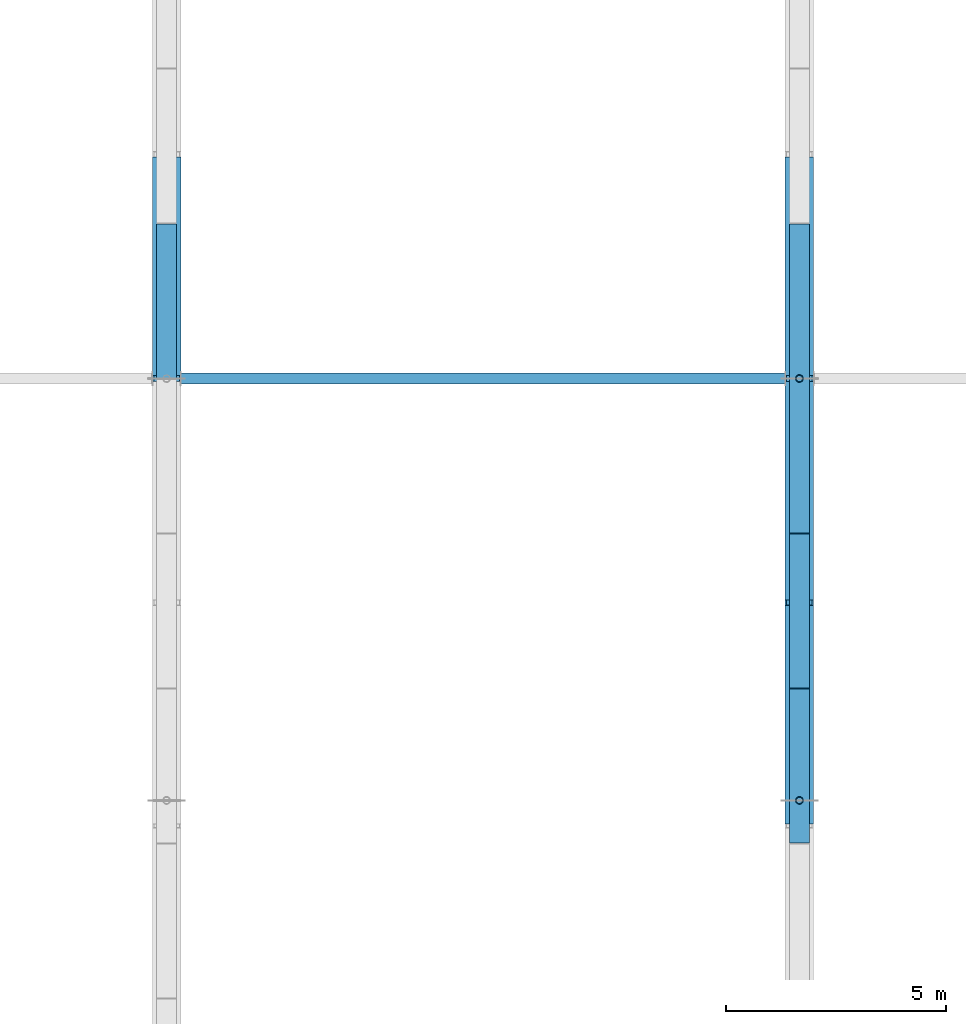
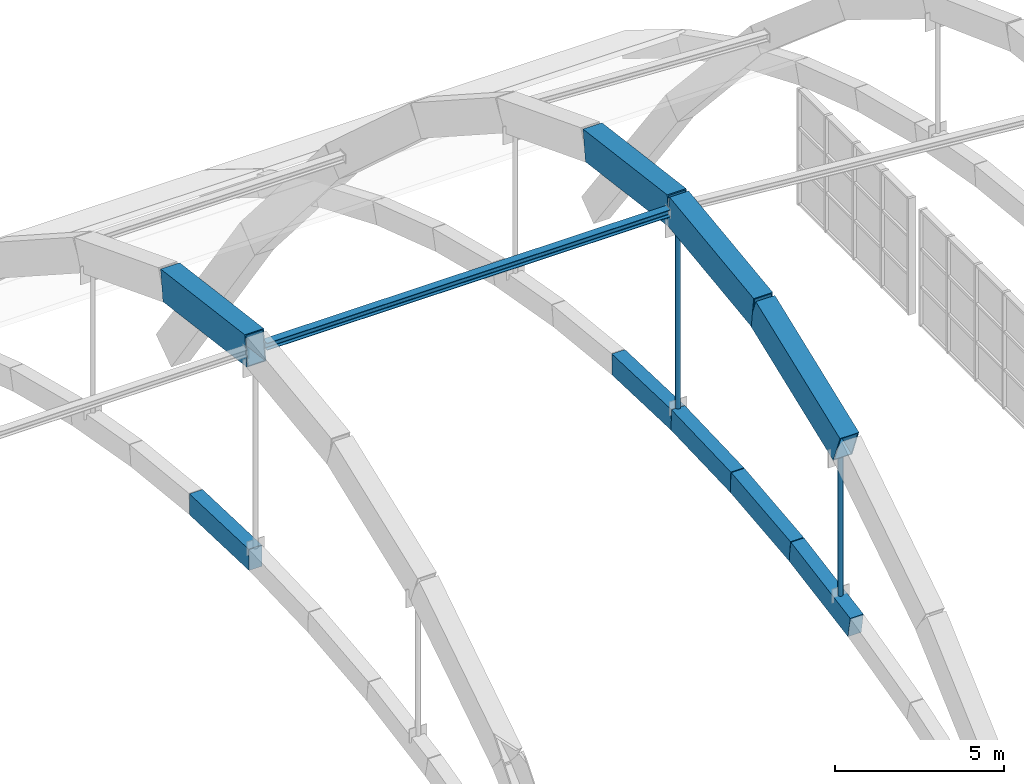
# One storey, part 22 of 64: 7 members, 5 beams.
"""IFC4 building model written with IfcOpenShell, lengths in metres."""

from ifc_helpers import new_model, si_unit, direction, frame, origin, origin_2d, place, context, subcontext, project, spatial, rectangle, hollow_rectangle, hollow_circle, i_section, extrude, material, material_profile, profile_set, type_object, element, save


model = new_model("IFC4")

# Units and contexts
model_context = context("Model", 3, precision=1e-05, world=origin(), true_north=direction((0.0, 1.0)))
body_context = subcontext(model_context, "Body", "Model", "MODEL_VIEW")
ifc_project = project(units=[si_unit("LENGTHUNIT", "METRE"), si_unit("AREAUNIT", "SQUARE_METRE"), si_unit("VOLUMEUNIT", "CUBIC_METRE"), si_unit("PLANEANGLEUNIT", "RADIAN"), si_unit("MASSUNIT", "GRAM", prefix="KILO")], contexts=[model_context])

# Site, building, storey
site_placement = place(None, origin())
site = spatial("IfcSite", under=ifc_project, at=site_placement, CompositionType="ELEMENT")
building_placement = place(site_placement, origin())
building = spatial("IfcBuilding", under=site, at=building_placement, Name="Leyfeld Transit Interchange", CompositionType="ELEMENT")
storey_placement = place(building_placement, frame((0.0, 0.0, 9.60009765625)))
storey = spatial("IfcBuildingStorey", under=building, at=storey_placement, Name="L02", CompositionType="ELEMENT", Elevation=9.60009765625)

# Beams
ifc_material_1 = material(Name="Concrete C40/50", Category="concrete")
ifc_material_profile_1 = material_profile(ifc_material_1, rectangle(XDim=0.449951171875, YDim=0.75, at=origin_2d()), Name="RC 750x450 RIB")
ifc_profile_set_1 = profile_set([ifc_material_profile_1], Name="Concrete C40/50")
beam_type = type_object("IfcBeamType", Name="BM-RIB-750x450", PredefinedType="USERDEFINED", material=ifc_profile_set_1)
beam_1_placement = place(storey_placement, frame((72.0, 32.39990234375, 7.440185546875), z_axis=(0.0, 0.999387477159, -0.034995292518), x_axis=(-1.0, 0.0, 0.0)))
element("IfcBeam", 1, at=beam_1_placement, inside=storey, type_object=beam_type, Name="Concourse Vault Rib A6 Seg 9", ObjectType="ARCH_RIB", PredefinedType="USERDEFINED", context=body_context, shape_type="SweptSolid", body=[
    extrude(rectangle(XDim=0.449951171875, YDim=0.75, at=origin_2d()), origin(), (0.0, 0.0, 1.0), 3.502197265625),
])
beam_2_placement = place(storey_placement, frame((86.39990234375, 21.89990234375, 6.3251953125), z_axis=(0.0, 0.984546197367, 0.175125056033), x_axis=(-1.0, 0.0, 0.0)))
element("IfcBeam", 2, at=beam_2_placement, inside=storey, type_object=beam_type, Name="Concourse Vault Rib A7 Seg 6", ObjectType="ARCH_RIB", PredefinedType="USERDEFINED", context=body_context, shape_type="SweptSolid", body=[
    extrude(rectangle(XDim=0.449951171875, YDim=0.75, at=origin_2d()), origin(), (0.0, 0.0, 1.0), 3.554931640625),
])
beam_3_placement = place(storey_placement, frame((86.39990234375, 25.39990234375, 6.94775390625), z_axis=(0.0, 0.99446241795, 0.105092812723), x_axis=(-1.0, 0.0, 0.0)))
element("IfcBeam", 3, at=beam_3_placement, inside=storey, type_object=beam_type, Name="Concourse Vault Rib A7 Seg 7", ObjectType="ARCH_RIB", PredefinedType="USERDEFINED", context=body_context, shape_type="SweptSolid", body=[
    extrude(rectangle(XDim=0.449951171875, YDim=0.75, at=origin_2d()), origin(), (0.0, 0.0, 1.0), 3.51953125),
])
for number, where, z_axis, x_axis, name in (
    (4, (86.39990234375, 28.89990234375, 7.317626953125), (0.0, 0.999387477159, 0.034995292518), (-1.0, 0.0, 0.0), "Concourse Vault Rib A7 Seg 8"),
    (5, (86.39990234375, 32.39990234375, 7.440185546875), (0.0, 0.999387477159, -0.034995292518), (-1.0, 0.0, 0.0), "Concourse Vault Rib A7 Seg 9"),
):
    element("IfcBeam", number, at=place(storey_placement, frame(where, z_axis=z_axis, x_axis=x_axis)), inside=storey, type_object=beam_type, Name=name, ObjectType="ARCH_RIB", PredefinedType="USERDEFINED", context=body_context, shape_type="SweptSolid", body=[
        extrude(rectangle(XDim=0.449951171875, YDim=0.75, at=origin_2d()), origin(), (0.0, 0.0, 1.0), 3.502197265625),
    ])

# Members
ifc_material_2 = material(Name="Steel S355J2 - Ochre Arch", Category="steel")
ifc_material_profile_2 = material_profile(ifc_material_2, hollow_rectangle(XDim=0.64990234375, YDim=1.10009765625, WallThickness=0.035888671875, at=origin_2d()), Name="RHS 1100x650x36")
ifc_profile_set_2 = profile_set([ifc_material_profile_2], Name="Steel S355J2 - Ochre Arch")
member_type_1 = type_object("IfcMemberType", Name="MEM-ARCH-1100", PredefinedType="USERDEFINED", material=ifc_profile_set_2)
member_1_placement = place(storey_placement, frame((72.0, 32.39990234375, 15.0), z_axis=(0.0, 0.991753299157, -0.128161591795), x_axis=(-1.0, 0.0, 0.0)))
element("IfcMember", 6, at=member_1_placement, inside=storey, type_object=member_type_1, Name="Primary Steel Arch AR-05 Seg 7", ObjectType="ARCH_SEGMENT", PredefinedType="USERDEFINED", context=body_context, shape_type="SweptSolid", body=[
    extrude(hollow_rectangle(XDim=0.64990234375, YDim=1.10009765625, WallThickness=0.035888671875, at=origin_2d()), origin(), (0.0, 0.0, 1.0), 5.008056640625),
])
member_2_placement = place(storey_placement, frame((86.39990234375, 22.466796875, 12.433349609375), z_axis=(0.0, 0.932424670612, 0.361364405599), x_axis=(-1.0, 0.0, 0.0)))
element("IfcMember", 7, at=member_2_placement, inside=storey, type_object=member_type_1, Name="Primary Steel Arch AR-06 Seg 5", ObjectType="ARCH_SEGMENT", PredefinedType="USERDEFINED", context=body_context, shape_type="SweptSolid", body=[
    extrude(hollow_rectangle(XDim=0.64990234375, YDim=1.10009765625, WallThickness=0.035888671875, at=origin_2d()), origin(), (0.0, 0.0, 1.0), 5.326416015625),
])
member_3_placement = place(storey_placement, frame((86.39990234375, 27.433349609375, 14.358154296875), z_axis=(0.0, 0.991752498374, 0.128167788341), x_axis=(-1.0, 0.0, 0.0)))
element("IfcMember", 8, at=member_3_placement, inside=storey, type_object=member_type_1, Name="Primary Steel Arch AR-06 Seg 6", ObjectType="ARCH_SEGMENT", PredefinedType="USERDEFINED", context=body_context, shape_type="SweptSolid", body=[
    extrude(hollow_rectangle(XDim=0.64990234375, YDim=1.10009765625, WallThickness=0.035888671875, at=origin_2d()), origin(), (0.0, 0.0, 1.0), 5.0078125),
])
member_4_placement = place(storey_placement, frame((86.39990234375, 32.39990234375, 15.0), z_axis=(0.0, 0.991753299157, -0.128161591795), x_axis=(-1.0, 0.0, 0.0)))
element("IfcMember", 9, at=member_4_placement, inside=storey, type_object=member_type_1, Name="Primary Steel Arch AR-06 Seg 7", ObjectType="ARCH_SEGMENT", PredefinedType="USERDEFINED", context=body_context, shape_type="SweptSolid", body=[
    extrude(hollow_rectangle(XDim=0.64990234375, YDim=1.10009765625, WallThickness=0.035888671875, at=origin_2d()), origin(), (0.0, 0.0, 1.0), 5.008056640625),
])
ifc_material_3 = material(Name="Steel S355J2", Category="steel")
ifc_material_profile_3 = material_profile(ifc_material_3, i_section(OverallWidth=0.260009765625, OverallDepth=0.260009765625, WebThickness=0.010009765625, FlangeThickness=0.017578125, FilletRadius=0.02392578125, at=origin_2d()), Name="HEB 260")
ifc_profile_set_3 = profile_set([ifc_material_profile_3], Name="Steel S355J2")
member_type_2 = type_object("IfcMemberType", Name="MEM-CHD-HEB260", PredefinedType="CHORD", material=ifc_profile_set_3)
member_5_placement = place(storey_placement, frame((72.324951171875, 32.39990234375, 15.0), z_axis=(1.0, 0.0, 0.0), x_axis=(0.0, 1.0, 0.0)))
element("IfcMember", 10, at=member_5_placement, inside=storey, type_object=member_type_2, Name="Arch Longitudinal Tie Chord B6 T2", PredefinedType="CHORD", context=body_context, shape_type="SweptSolid", body=[
    extrude(i_section(OverallWidth=0.260009765625, OverallDepth=0.260009765625, WebThickness=0.010009765625, FlangeThickness=0.017578125, FilletRadius=0.02392578125, at=origin_2d()), origin(), (0.0, 0.0, 1.0), 13.75),
])
ifc_material_profile_4 = material_profile(ifc_material_3, hollow_circle(Radius=0.084228515625, WallThickness=0.008056640625, at=origin_2d()), Name="CHS 168.3x8")
ifc_profile_set_4 = profile_set([ifc_material_profile_4], Name="Steel S355J2")
member_type_3 = type_object("IfcMemberType", Name="MEM-HGR-168", PredefinedType="USERDEFINED", material=ifc_profile_set_4)
member_6_placement = place(storey_placement, frame((86.39990234375, 22.800048828125, 6.885009765625), z_axis=(0.0, 0.0, 1.0), x_axis=(1.0, 0.0, 0.0)))
element("IfcMember", 11, at=member_6_placement, inside=storey, type_object=member_type_3, Name="Arch Tension Hanger AR-06 H3", ObjectType="SUSPENDER", PredefinedType="USERDEFINED", context=body_context, shape_type="SweptSolid", body=[
    extrude(hollow_circle(Radius=0.084228515625, WallThickness=0.008056640625, at=origin_2d()), origin(), (0.0, 0.0, 1.0), 5.087646484375),
])
member_7_placement = place(storey_placement, frame((86.39990234375, 32.39990234375, 7.815185546875), z_axis=(0.0, 0.0, 1.0), x_axis=(1.0, 0.0, 0.0)))
element("IfcMember", 12, at=member_7_placement, inside=storey, type_object=member_type_3, Name="Arch Tension Hanger AR-06 H4", ObjectType="SUSPENDER", PredefinedType="USERDEFINED", context=body_context, shape_type="SweptSolid", body=[
    extrude(hollow_circle(Radius=0.084228515625, WallThickness=0.008056640625, at=origin_2d()), origin(), (0.0, 0.0, 1.0), 6.630126953125),
])

save(model, "model.ifc")
